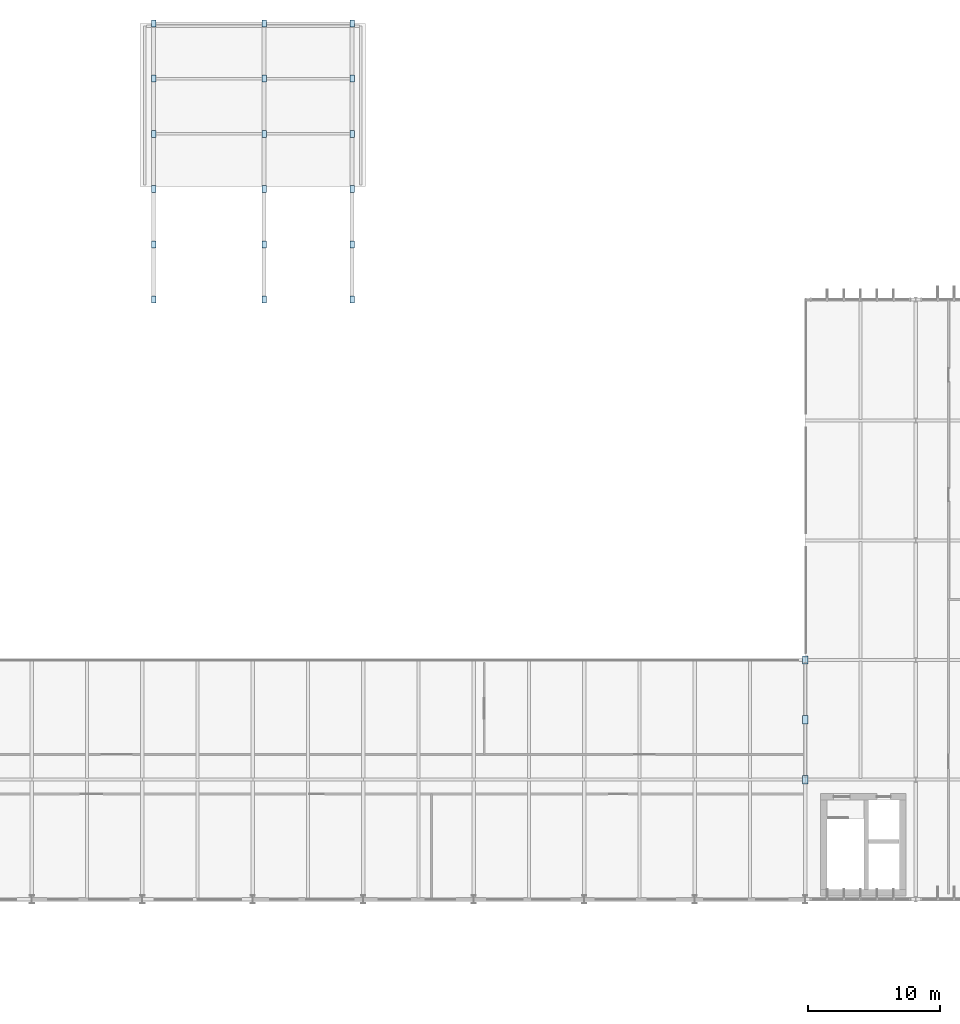
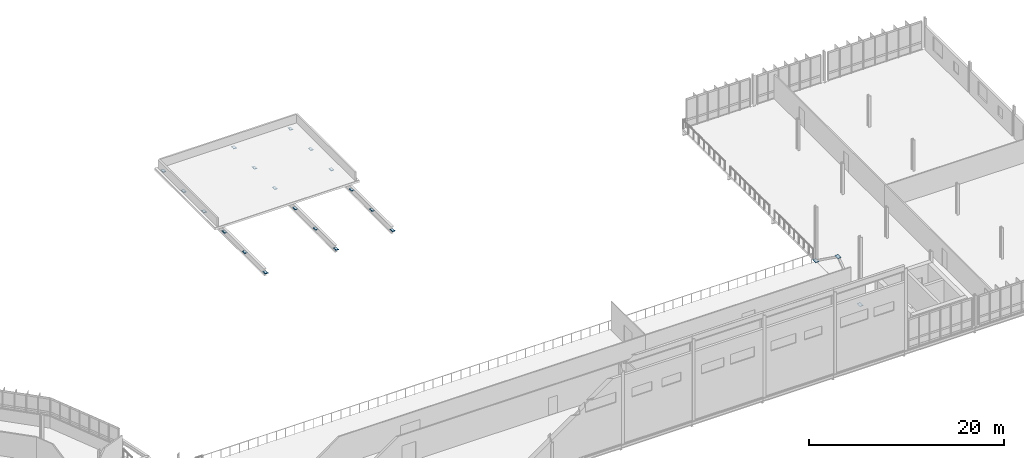
# One storey, part 47 of 61: 21 plates.
"""IFC4 building model written with IfcOpenShell, lengths in metres."""

from ifc_helpers import new_model, si_unit, derived_unit, direction, frame, origin, origin_2d, place, context, subcontext, project, spatial, rectangle, extrude, material, layer, layer_set, type_object, element, save


model = new_model("IFC4")

# Units and contexts
model_context = context("Model", 3, precision=1e-05, world=origin(), true_north=direction((0.0, 1.0)))
body_context = subcontext(model_context, "Body", "Model", "MODEL_VIEW")
ifc_project = project(units=[si_unit("LENGTHUNIT", "METRE"), si_unit("AREAUNIT", "SQUARE_METRE"), si_unit("VOLUMEUNIT", "CUBIC_METRE"), si_unit("PLANEANGLEUNIT", "RADIAN"), si_unit("MASSUNIT", "GRAM", prefix="KILO"), derived_unit("THERMALTRANSMITTANCEUNIT", [(si_unit("MASSUNIT", "GRAM", prefix="KILO"), 1), (si_unit("TIMEUNIT", "SECOND"), -3), (si_unit("THERMODYNAMICTEMPERATUREUNIT", "KELVIN"), -1)])], contexts=[model_context])

# Site, building, storey
site_placement = place(None, origin())
site = spatial("IfcSite", under=ifc_project, at=site_placement, CompositionType="ELEMENT")
building_placement = place(site_placement, origin())
building = spatial("IfcBuilding", under=site, at=building_placement, Name="Makaiwela Harbour Ferry Terminal", CompositionType="ELEMENT")
storey_placement = place(building_placement, frame((0.0, 0.0, 13.800048828125)))
storey = spatial("IfcBuildingStorey", under=building, at=storey_placement, Name="L03", CompositionType="ELEMENT", Elevation=13.800048828125)

# Plates
ifc_material = material(Name="Steel ASTM A572 Grade 50", Category="steel")
ifc_layer_1 = layer(ifc_material, 0.028076171875)
ifc_layer_set_1 = layer_set([ifc_layer_1], Name="Steel ASTM A572 Grade 50")
plate_type_1 = type_object("IfcPlateType", Name="STR-PLT-GUS3", PredefinedType="USERDEFINED", material=ifc_layer_set_1)
for number, where, z_axis, x_axis, name in (
    (1, (138.60009765625, 63.050048828125, 3.29931640625), (0.0, 0.0, 1.0), (0.0, 1.0, 0.0), "Truss Gusset Plate GP-133"),
    (2, (138.60009765625, 58.5, 0.0361328125), (0.0, 0.0, 1.0), (0.0, 1.0, 0.0), "Truss Gusset Plate GP-134"),
    (3, (138.60009765625, 67.60009765625, 0.0361328125), (0.0, 0.0, 1.0), (0.0, 1.0, 0.0), "Truss Gusset Plate GP-135"),
):
    element("IfcPlate", number, at=place(storey_placement, frame(where, z_axis=z_axis, x_axis=x_axis)), inside=storey, type_object=plate_type_1, Name=name, ObjectType="GUSSET PLATE", PredefinedType="USERDEFINED", context=body_context, shape_type="SweptSolid", body=[
        extrude(rectangle(XDim=0.639892578125, YDim=0.39990234375, at=origin_2d()), origin(), (0.0, 0.0, 1.0), 0.028076171875),
    ])
ifc_layer_2 = layer(ifc_material, 0.02197265625)
ifc_layer_set_2 = layer_set([ifc_layer_2], Name="Steel ASTM A572 Grade 50")
plate_type_2 = type_object("IfcPlateType", Name="STR-PLT-GUS4", PredefinedType="USERDEFINED", material=ifc_layer_set_2)
for number, where, z_axis, x_axis, name in (
    (4, (89.050048828125, 95.0, -0.676513671875), (0.0, 0.0, 1.0), (0.0, 1.0, 0.0), "Truss Gusset Plate GP-003"),
    (5, (89.050048828125, 99.199951171875, -0.676513671875), (0.0, 0.0, 1.0), (0.0, 1.0, 0.0), "Truss Gusset Plate GP-006"),
    (6, (89.050048828125, 103.39990234375, -0.676513671875), (0.0, 0.0, 1.0), (0.0, 1.0, 0.0), "Truss Gusset Plate GP-009"),
    (7, (89.050048828125, 107.60009765625, -0.676513671875), (0.0, 0.0, 1.0), (0.0, 1.0, 0.0), "Truss Gusset Plate GP-012"),
    (8, (89.050048828125, 111.800048828125, -0.676513671875), (0.0, 0.0, 1.0), (0.0, 1.0, 0.0), "Truss Gusset Plate GP-015"),
    (9, (89.050048828125, 116.0, -0.676513671875), (0.0, 0.0, 1.0), (0.0, 1.0, 0.0), "Truss Gusset Plate GP-018"),
    (10, (97.449951171875, 95.0, -0.676513671875), (0.0, 0.0, 1.0), (0.0, 1.0, 0.0), "Truss Gusset Plate GP-021"),
    (11, (97.449951171875, 99.199951171875, -0.676513671875), (0.0, 0.0, 1.0), (0.0, 1.0, 0.0), "Truss Gusset Plate GP-024"),
    (12, (97.449951171875, 103.39990234375, -0.676513671875), (0.0, 0.0, 1.0), (0.0, 1.0, 0.0), "Truss Gusset Plate GP-027"),
    (13, (97.449951171875, 107.60009765625, -0.676513671875), (0.0, 0.0, 1.0), (0.0, 1.0, 0.0), "Truss Gusset Plate GP-030"),
    (14, (97.449951171875, 111.800048828125, -0.676513671875), (0.0, 0.0, 1.0), (0.0, 1.0, 0.0), "Truss Gusset Plate GP-033"),
    (15, (97.449951171875, 116.0, -0.676513671875), (0.0, 0.0, 1.0), (0.0, 1.0, 0.0), "Truss Gusset Plate GP-036"),
    (16, (104.14990234375, 95.0, -0.676513671875), (0.0, 0.0, 1.0), (0.0, 1.0, 0.0), "Truss Gusset Plate GP-039"),
    (17, (104.14990234375, 99.199951171875, -0.676513671875), (0.0, 0.0, 1.0), (0.0, 1.0, 0.0), "Truss Gusset Plate GP-042"),
    (18, (104.14990234375, 103.39990234375, -0.676513671875), (0.0, 0.0, 1.0), (0.0, 1.0, 0.0), "Truss Gusset Plate GP-045"),
    (19, (104.14990234375, 107.60009765625, -0.676513671875), (0.0, 0.0, 1.0), (0.0, 1.0, 0.0), "Truss Gusset Plate GP-048"),
    (20, (104.14990234375, 111.800048828125, -0.676513671875), (0.0, 0.0, 1.0), (0.0, 1.0, 0.0), "Truss Gusset Plate GP-051"),
    (21, (104.14990234375, 116.0, -0.676513671875), (0.0, 0.0, 1.0), (0.0, 1.0, 0.0), "Truss Gusset Plate GP-054"),
):
    element("IfcPlate", number, at=place(storey_placement, frame(where, z_axis=z_axis, x_axis=x_axis)), inside=storey, type_object=plate_type_2, Name=name, ObjectType="GUSSET PLATE", PredefinedType="USERDEFINED", context=body_context, shape_type="SweptSolid", body=[
        extrude(rectangle(XDim=0.52001953125, YDim=0.340087890625, at=origin_2d()), origin(), (0.0, 0.0, 1.0), 0.02197265625),
    ])

save(model, "model.ifc")
